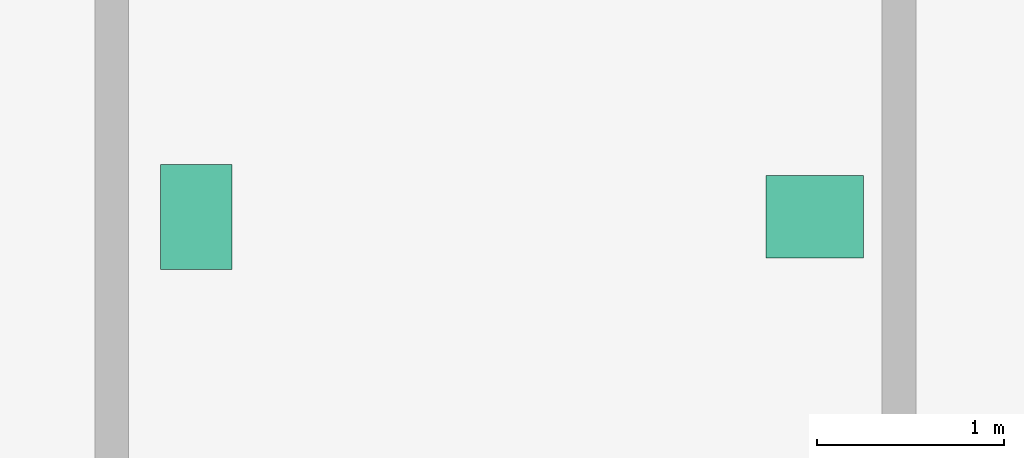
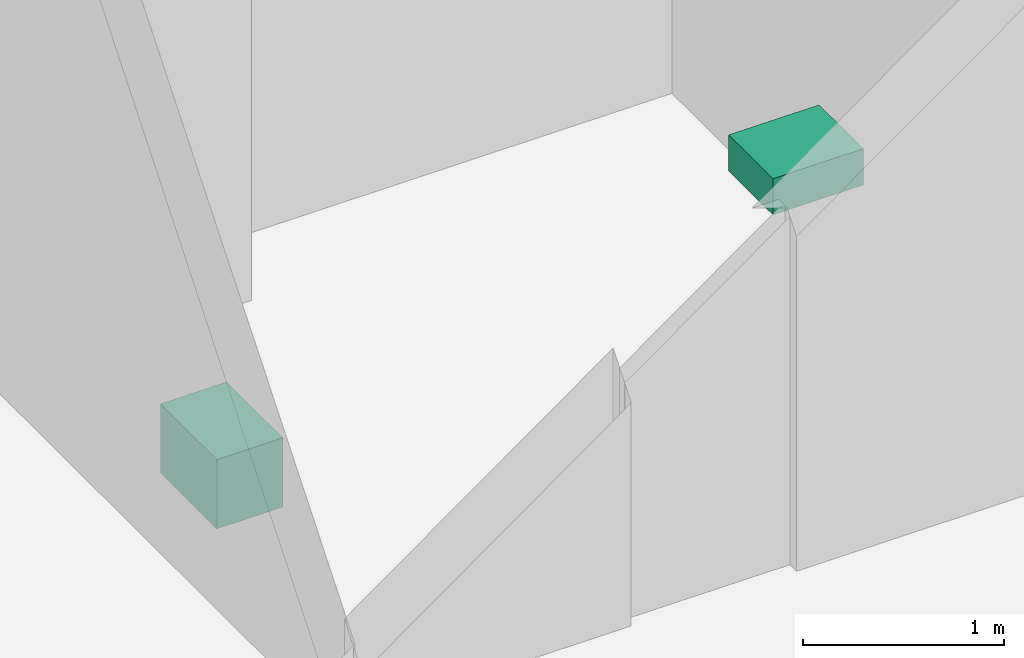
# One storey, part 9 of 9: 2 sanitary terminals.
"""IFC4 building model written with IfcOpenShell, lengths in metres."""

from ifc_helpers import new_model, si_unit, direction, frame, origin, origin_2d, place, context, subcontext, project, spatial, rectangle, extrude, material, type_object, element, save


model = new_model("IFC4")

# Units and contexts
model_context = context("Model", 3, precision=1e-05, world=origin(), true_north=direction((0.0, 1.0)))
body_context = subcontext(model_context, "Body", "Model", "MODEL_VIEW")
ifc_project = project(units=[si_unit("LENGTHUNIT", "METRE"), si_unit("AREAUNIT", "SQUARE_METRE"), si_unit("VOLUMEUNIT", "CUBIC_METRE"), si_unit("PLANEANGLEUNIT", "RADIAN"), si_unit("MASSUNIT", "GRAM", prefix="KILO")], contexts=[model_context])

# Site, building, storey
site_placement = place(None, origin())
site = spatial("IfcSite", under=ifc_project, at=site_placement, CompositionType="ELEMENT")
building_placement = place(site_placement, origin())
building = spatial("IfcBuilding", under=site, at=building_placement, Name="Barlavira Tower and Art Museum", CompositionType="ELEMENT")
storey_placement = place(building_placement, frame((0.0, 0.0, 212.39990234375)))
storey = spatial("IfcBuildingStorey", under=building, at=storey_placement, Name="L55", CompositionType="ELEMENT", Elevation=212.39990234375)

# Sanitary terminals
ifc_material = material(Name="Vitreous glazed ceramic", Category="ceramic")
sanitary_terminal_type_1 = type_object("IfcSanitaryTerminalType", Name="Countertop Ceramic Wash Hand Basin", PredefinedType="WASHHANDBASIN", material=ifc_material)
sanitary_terminal_1_placement = place(storey_placement, frame((-8.75, 11.25, 0.740234375), z_axis=(0.0, 0.0, 1.0), x_axis=(1.0, 0.0, 0.0)))
element("IfcSanitaryTerminal", 1, at=sanitary_terminal_1_placement, inside=storey, type_object=sanitary_terminal_type_1, Name="L55-PLT-WC Wash Basin", PredefinedType="WASHHANDBASIN", context=body_context, shape_type="SweptSolid", body=[
    extrude(rectangle(XDim=0.52001953125, YDim=0.43994140625, at=origin_2d()), origin(), (0.0, 0.0, 1.0), 0.219970703125),
])
sanitary_terminal_type_2 = type_object("IfcSanitaryTerminalType", Name="Wall-Hung Dual-Flush Vitreous WC Pan", PredefinedType="TOILETPAN", material=ifc_material)
sanitary_terminal_2_placement = place(storey_placement, frame((-12.050048828125, 11.25, 0.000244140625), z_axis=(0.0, 0.0, 1.0), x_axis=(1.0, 0.0, 0.0)))
element("IfcSanitaryTerminal", 2, at=sanitary_terminal_2_placement, inside=storey, type_object=sanitary_terminal_type_2, Name="L55-PLT-WC WC Pan", PredefinedType="TOILETPAN", context=body_context, shape_type="SweptSolid", body=[
    extrude(rectangle(XDim=0.3798828125, YDim=0.56005859375, at=origin_2d()), origin(), (0.0, 0.0, 1.0), 0.419921875),
])

save(model, "model.ifc")
